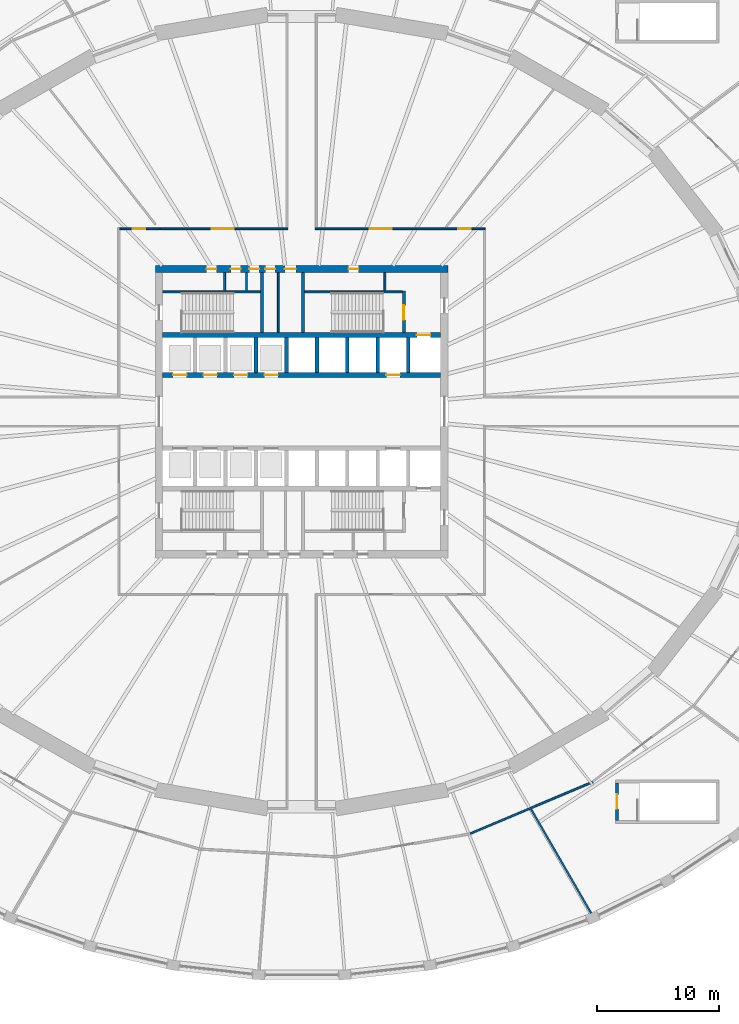
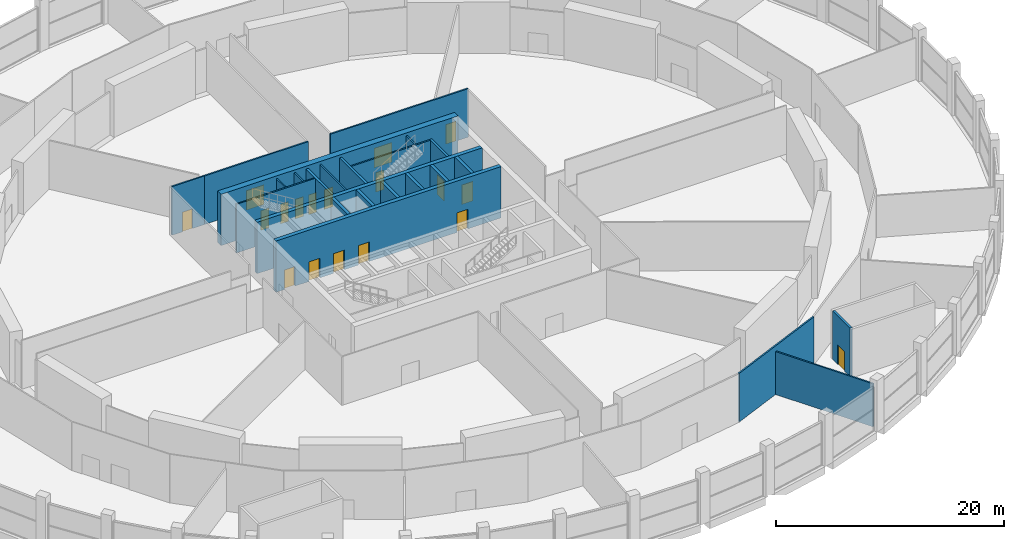
# One storey, part 21 of 26: 24 walls, 18 doors, 18 openings.
"""IFC4 building model written with IfcOpenShell, lengths in metres."""

from ifc_helpers import new_model, si_unit, direction, frame, frame_2d, origin, place, context, subcontext, project, spatial, polyline, rectangle, outline, extrude, material, layer, layer_set, type_object, element, fill, save


model = new_model("IFC4")

# Units and contexts
model_context = context("Model", 3, precision=1e-05, world=origin(), true_north=direction((0.0, 1.0)))
body_context = subcontext(model_context, "Body", "Model", "MODEL_VIEW")
ifc_project = project(units=[si_unit("LENGTHUNIT", "METRE"), si_unit("AREAUNIT", "SQUARE_METRE"), si_unit("VOLUMEUNIT", "CUBIC_METRE"), si_unit("PLANEANGLEUNIT", "RADIAN"), si_unit("MASSUNIT", "GRAM", prefix="KILO")], contexts=[model_context])

# Site, building, storey
site_placement = place(None, origin())
site = spatial("IfcSite", under=ifc_project, at=site_placement, CompositionType="ELEMENT")
building_placement = place(site_placement, origin())
building = spatial("IfcBuilding", under=site, at=building_placement, Name="Halqa Exchange Tower", CompositionType="ELEMENT")
storey_placement = place(building_placement, frame((0.0, 0.0, 18.0)))
storey = spatial("IfcBuildingStorey", under=building, at=storey_placement, Name="L03", CompositionType="ELEMENT", Elevation=18.0)

# Wall, opening, door
ifc_material_1 = material(Name="Fire-rated gypsum board")
ifc_layer_1 = layer(ifc_material_1, 0.14990234375)
ifc_layer_set_1 = layer_set([ifc_layer_1], Name="Fire-rated gypsum board")
wall_type_1 = type_object("IfcWallType", Name="Fire partition EI 60 150", PredefinedType="PARTITIONING", material=ifc_layer_set_1)
wall_1_placement = place(storey_placement, frame((-14.925048828125, 15.0, 0.0), z_axis=(0.0, 0.0, 1.0), x_axis=(1.0, 0.0, 0.0)))
wall_1 = element("IfcWall", 1, at=wall_1_placement, inside=storey, type_object=wall_type_1, Name="L03-PWL-031", PredefinedType="PARTITIONING", context=body_context, shape_type="SweptSolid", body=[
    extrude(rectangle(XDim=3.304443359375, YDim=0.14990234375, at=frame_2d((1.65234375, 0.0))), origin(), (0.0, 0.0, 1.0), 5.199951171875),
])
opening_1_placement = place(wall_1_placement, frame((1.074951171875, 0.0, 0.0)))
opening_1 = element("IfcOpeningElement", 2, at=opening_1_placement, cuts=wall_1, Name="Opening L03-06", PredefinedType="OPENING", context=body_context, shape_type="SweptSolid", body=[
    extrude(rectangle(XDim=1.0, YDim=2.10009765625, at=frame_2d((0.5, 1.050048828125))), frame((0.0, 0.0869140625, 0.0), z_axis=(0.0, -1.0, 0.0), x_axis=(1.0, 0.0, 0.0)), (0.0, 0.0, 1.0), 0.173828125),
])
ifc_material_2 = material(Name="Steel fire door leaf", Category="steel")
door_type_1 = type_object("IfcDoorType", Name="Fire door FD30S 1000 x 2100", OperationType="SINGLE_SWING_LEFT", PredefinedType="DOOR", material=ifc_material_2)
door_1_placement = place(opening_1_placement, origin())
door_1 = element("IfcDoor", 3, at=door_1_placement, inside=storey, type_object=door_type_1, Name="L03-IDR-006", OperationType="SINGLE_SWING_RIGHT", OverallHeight=2.10009765625, OverallWidth=1.0, PredefinedType="DOOR", context=body_context, shape_type="SweptSolid", body=[
    extrude(rectangle(XDim=1.0, YDim=2.10009765625, at=frame_2d((0.5, 1.050048828125))), frame((0.0, 0.02490234375, 0.0), z_axis=(0.0, -1.0, 0.0), x_axis=(1.0, 0.0, 0.0)), (0.0, 0.0, 1.0), 0.050048828125),
])
fill(opening_1, door_1)

wall_2_placement = place(storey_placement, frame((-11.62109375, 15.0, 0.0), z_axis=(0.0, 0.0, 1.0), x_axis=(1.0, 0.0, 0.0)))
wall_2 = element("IfcWall", 4, at=wall_2_placement, inside=storey, type_object=wall_type_1, Name="L03-PWL-034", PredefinedType="PARTITIONING", context=body_context, shape_type="SweptSolid", body=[
    extrude(rectangle(XDim=10.49609375, YDim=0.14990234375, at=frame_2d((5.248046875, 0.0))), origin(), (0.0, 0.0, 1.0), 5.199951171875),
])
opening_2_placement = place(wall_2_placement, frame((4.251953125, 0.0, 0.0)))
opening_2 = element("IfcOpeningElement", 5, at=opening_2_placement, cuts=wall_2, Name="Opening L03-05", PredefinedType="OPENING", context=body_context, shape_type="SweptSolid", body=[
    extrude(rectangle(XDim=1.800048828125, YDim=2.10009765625, at=frame_2d((0.89990234375, 1.050048828125))), frame((0.0, 0.0869140625, 0.0), z_axis=(0.0, -1.0, 0.0), x_axis=(1.0, 0.0, 0.0)), (0.0, 0.0, 1.0), 0.173828125),
])
door_type_2 = type_object("IfcDoorType", Name="Fire door FD30S double 1800 x 2100", OperationType="DOUBLE_DOOR_SINGLE_SWING", PredefinedType="DOOR", material=ifc_material_2)
door_2_placement = place(opening_2_placement, origin())
door_2 = element("IfcDoor", 6, at=door_2_placement, inside=storey, type_object=door_type_2, Name="L03-IDR-005", OperationType="DOUBLE_DOOR_SINGLE_SWING", OverallHeight=2.10009765625, OverallWidth=1.800048828125, PredefinedType="DOOR", context=body_context, shape_type="SweptSolid", body=[
    extrude(rectangle(XDim=1.800048828125, YDim=2.10009765625, at=frame_2d((0.89990234375, 1.050048828125))), frame((0.0, 0.02490234375, 0.0), z_axis=(0.0, -1.0, 0.0), x_axis=(1.0, 0.0, 0.0)), (0.0, 0.0, 1.0), 0.050048828125),
])
fill(opening_2, door_2)

# Wall, openings, doors
wall_3_placement = place(storey_placement, frame((1.125, 15.0, 0.0), z_axis=(0.0, 0.0, 1.0), x_axis=(1.0, 0.0, 0.0)))
wall_3 = element("IfcWall", 7, at=wall_3_placement, inside=storey, type_object=wall_type_1, Name="L03-PWL-048", PredefinedType="PARTITIONING", context=body_context, shape_type="SweptSolid", body=[
    extrude(rectangle(XDim=13.949951171875, YDim=0.14990234375, at=frame_2d((6.97509765625, 0.0))), origin(), (0.0, 0.0, 1.0), 5.199951171875),
])
opening_3_placement = place(wall_3_placement, frame((11.72509765625, 0.0, 0.0)))
opening_3 = element("IfcOpeningElement", 8, at=opening_3_placement, cuts=wall_3, Name="Opening L03-01", PredefinedType="OPENING", context=body_context, shape_type="SweptSolid", body=[
    extrude(rectangle(XDim=1.0, YDim=2.10009765625, at=frame_2d((0.5, 1.050048828125))), frame((0.0, 0.0869140625, 0.0), z_axis=(0.0, -1.0, 0.0), x_axis=(1.0, 0.0, 0.0)), (0.0, 0.0, 1.0), 0.173828125),
])
opening_4_placement = place(wall_3_placement, frame((4.444091796875, 0.0, 0.0)))
opening_4 = element("IfcOpeningElement", 9, at=opening_4_placement, cuts=wall_3, Name="Opening L03-04", PredefinedType="OPENING", context=body_context, shape_type="SweptSolid", body=[
    extrude(rectangle(XDim=1.800048828125, YDim=2.10009765625, at=frame_2d((0.89990234375, 1.050048828125))), frame((0.0, 0.0869140625, 0.0), z_axis=(0.0, -1.0, 0.0), x_axis=(1.0, 0.0, 0.0)), (0.0, 0.0, 1.0), 0.173828125),
])
door_3_placement = place(opening_3_placement, origin())
door_3 = element("IfcDoor", 10, at=door_3_placement, inside=storey, type_object=door_type_1, Name="L03-IDR-001", OperationType="SINGLE_SWING_RIGHT", OverallHeight=2.10009765625, OverallWidth=1.0, PredefinedType="DOOR", context=body_context, shape_type="SweptSolid", body=[
    extrude(rectangle(XDim=1.0, YDim=2.10009765625, at=frame_2d((0.5, 1.050048828125))), frame((0.0, 0.02490234375, 0.0), z_axis=(0.0, -1.0, 0.0), x_axis=(1.0, 0.0, 0.0)), (0.0, 0.0, 1.0), 0.050048828125),
])
fill(opening_3, door_3)
door_4_placement = place(opening_4_placement, origin())
door_4 = element("IfcDoor", 11, at=door_4_placement, inside=storey, type_object=door_type_2, Name="L03-IDR-004", OperationType="DOUBLE_DOOR_SINGLE_SWING", OverallHeight=2.10009765625, OverallWidth=1.800048828125, PredefinedType="DOOR", context=body_context, shape_type="SweptSolid", body=[
    extrude(rectangle(XDim=1.800048828125, YDim=2.10009765625, at=frame_2d((0.89990234375, 1.050048828125))), frame((0.0, 0.02490234375, 0.0), z_axis=(0.0, -1.0, 0.0), x_axis=(1.0, 0.0, 0.0)), (0.0, 0.0, 1.0), 0.050048828125),
])
fill(opening_4, door_4)

# Walls
wall_4_placement = place(storey_placement, frame((13.8525390625, -34.61083984375, 0.0), z_axis=(0.0, 0.0, 1.0), x_axis=(0.9212761968, 0.388908947197, 0.0)))
element("IfcWall", 12, at=wall_4_placement, inside=storey, type_object=wall_type_1, Name="L03-PWL-056", PredefinedType="PARTITIONING", context=body_context, shape_type="SweptSolid", body=[
    extrude(rectangle(XDim=10.874755859375, YDim=0.14990234375, at=frame_2d((5.4375, 0.0))), origin(), (0.0, 0.0, 1.0), 5.199951171875),
])
wall_5_placement = place(storey_placement, frame((23.7451171875, -41.150390625, 0.0), z_axis=(0.0, 0.0, 1.0), x_axis=(-0.499854452602, 0.866109419308, 0.0)))
element("IfcWall", 13, at=wall_5_placement, inside=storey, type_object=wall_type_1, Name="L03-PWL-065", PredefinedType="PARTITIONING", context=body_context, shape_type="SweptSolid", body=[
    extrude(outline(polyline([(-0.00927734375, -0.074951171875), (9.8642578125, -0.074951171875), (9.8828125, 0.074951171875), (0.00927734375, 0.074951171875), (-0.00927734375, -0.074951171875)])), origin(), (0.0, 0.0, 1.0), 4.60009765625),
])
ifc_material_3 = material(Name="Gypsum board")
ifc_layer_2 = layer(ifc_material_3, 0.14990234375)
ifc_layer_set_2 = layer_set([ifc_layer_2], Name="Gypsum board")
wall_type_2 = type_object("IfcWallType", Name="Penthouse riser wall 150 gypsum", PredefinedType="PARTITIONING", material=ifc_layer_set_2)
wall_6_placement = place(storey_placement, frame((-1.925048828125, 6.5, 0.0), z_axis=(0.0, 0.0, 1.0), x_axis=(0.0, 1.0, 0.0)))
element("IfcWall", 14, at=wall_6_placement, inside=storey, type_object=wall_type_2, Name="Partition W1.925 N", PredefinedType="PARTITIONING", context=body_context, shape_type="SweptSolid", body=[
    extrude(rectangle(XDim=4.89990234375, YDim=0.14990234375, at=frame_2d((2.449951171875, 0.0))), origin(), (0.0, 0.0, 1.0), 5.199951171875),
])
for number, where, z_axis, x_axis, name in (
    (15, (-6.324951171875, 9.89990234375, 0.0), (0.0, 0.0, 1.0), (0.0, 1.0, 0.0), "Partition W6.325 N"),
    (16, (-4.52490234375, 9.89990234375, 0.0), (0.0, 0.0, 1.0), (0.0, 1.0, 0.0), "Partition W4.525 N"),
    (17, (6.824951171875, 9.89990234375, 0.0), (0.0, 0.0, 1.0), (0.0, 1.0, 0.0), "Firefighting lobby west wall N"),
):
    element("IfcWall", number, at=place(storey_placement, frame(where, z_axis=z_axis, x_axis=x_axis)), inside=storey, type_object=wall_type_2, Name=name, PredefinedType="PARTITIONING", context=body_context, shape_type="SweptSolid", body=[
        extrude(rectangle(XDim=1.5, YDim=0.14990234375, at=frame_2d((0.75, 0.0))), origin(), (0.0, 0.0, 1.0), 5.199951171875),
    ])
ifc_material_4 = material(Name="Concrete C60/75", Category="concrete")
ifc_layer_3 = layer(ifc_material_4, 0.300048828125)
ifc_layer_set_3 = layer_set([ifc_layer_3], Name="Concrete C60/75")
wall_type_3 = type_object("IfcWallType", Name="RC core wall 300", PredefinedType="SHEAR", material=ifc_layer_set_3)
for number, where, z_axis, x_axis, name in (
    (18, (-3.75, 3.199951171875, 0.0), (0.0, 0.0, 1.0), (0.0, 1.0, 0.0), "Shaft divider N3"),
    (19, (-1.25, 3.199951171875, 0.0), (0.0, 0.0, 1.0), (0.0, 1.0, 0.0), "Shaft divider N4"),
    (20, (1.25, 3.199951171875, 0.0), (0.0, 0.0, 1.0), (0.0, 1.0, 0.0), "Shaft divider N5"),
    (21, (3.75, 3.199951171875, 0.0), (0.0, 0.0, 1.0), (0.0, 1.0, 0.0), "Shaft divider N6"),
    (22, (6.25, 3.199951171875, 0.0), (0.0, 0.0, 1.0), (0.0, 1.0, 0.0), "Shaft divider N7"),
    (23, (8.75, 3.199951171875, 0.0), (0.0, 0.0, 1.0), (0.0, 1.0, 0.0), "Shaft divider N8"),
):
    element("IfcWall", number, at=place(storey_placement, frame(where, z_axis=z_axis, x_axis=x_axis)), inside=storey, type_object=wall_type_3, Name=name, PredefinedType="SHEAR", context=body_context, shape_type="SweptSolid", body=[
        extrude(rectangle(XDim=2.900146484375, YDim=0.300048828125, at=frame_2d((1.4501953125, 0.0))), origin(), (0.0, 0.0, 1.0), 5.5),
    ])

# Wall, openings, doors
ifc_material_5 = material(Name="Concrete C80/95", Category="concrete")
ifc_layer_4 = layer(ifc_material_5, 0.39990234375)
ifc_layer_set_4 = layer_set([ifc_layer_4], Name="Concrete C80/95")
wall_type_4 = type_object("IfcWallType", Name="RC core wall 400 C80/95", PredefinedType="SHEAR", material=ifc_layer_set_4)
wall_7_placement = place(storey_placement, frame((-11.39990234375, 3.0, 0.0), z_axis=(0.0, 0.0, 1.0), x_axis=(1.0, 0.0, 0.0)))
wall_7 = element("IfcWall", 24, at=wall_7_placement, inside=storey, type_object=wall_type_4, Name="Lift row front wall N", PredefinedType="SHEAR", context=body_context, shape_type="SweptSolid", body=[
    extrude(rectangle(XDim=22.7998046875, YDim=0.39990234375, at=frame_2d((11.39990234375, 0.0))), origin(), (0.0, 0.0, 1.0), 5.5),
])
opening_5_placement = place(wall_7_placement, frame((0.85009765625, 0.0, 0.0)))
opening_5 = element("IfcOpeningElement", 25, at=opening_5_placement, cuts=wall_7, Name="Opening LD-LR1-L03", PredefinedType="OPENING", context=body_context, shape_type="SweptSolid", body=[
    extrude(rectangle(XDim=1.10009765625, YDim=2.10009765625, at=frame_2d((0.550048828125, 1.050048828125))), frame((0.0, 0.2119140625, 0.0), z_axis=(0.0, -1.0, 0.0), x_axis=(1.0, 0.0, 0.0)), (0.0, 0.0, 1.0), 0.423828125),
])
opening_6_placement = place(wall_7_placement, frame((3.35009765625, 0.0, 0.0)))
opening_6 = element("IfcOpeningElement", 26, at=opening_6_placement, cuts=wall_7, Name="Opening LD-LR2-L03", PredefinedType="OPENING", context=body_context, shape_type="SweptSolid", body=[
    extrude(rectangle(XDim=1.10009765625, YDim=2.10009765625, at=frame_2d((0.550048828125, 1.050048828125))), frame((0.0, 0.2119140625, 0.0), z_axis=(0.0, -1.0, 0.0), x_axis=(1.0, 0.0, 0.0)), (0.0, 0.0, 1.0), 0.423828125),
])
opening_7_placement = place(wall_7_placement, frame((5.85009765625, 0.0, 0.0)))
opening_7 = element("IfcOpeningElement", 27, at=opening_7_placement, cuts=wall_7, Name="Opening LD-LR3-L03", PredefinedType="OPENING", context=body_context, shape_type="SweptSolid", body=[
    extrude(rectangle(XDim=1.10009765625, YDim=2.10009765625, at=frame_2d((0.550048828125, 1.050048828125))), frame((0.0, 0.2119140625, 0.0), z_axis=(0.0, -1.0, 0.0), x_axis=(1.0, 0.0, 0.0)), (0.0, 0.0, 1.0), 0.423828125),
])
opening_8_placement = place(wall_7_placement, frame((8.35009765625, 0.0, 0.0)))
opening_8 = element("IfcOpeningElement", 28, at=opening_8_placement, cuts=wall_7, Name="Opening LD-LR4-L03", PredefinedType="OPENING", context=body_context, shape_type="SweptSolid", body=[
    extrude(rectangle(XDim=1.10009765625, YDim=2.10009765625, at=frame_2d((0.550048828125, 1.050048828125))), frame((0.0, 0.2119140625, 0.0), z_axis=(0.0, -1.0, 0.0), x_axis=(1.0, 0.0, 0.0)), (0.0, 0.0, 1.0), 0.423828125),
])
opening_9_placement = place(wall_7_placement, frame((18.35009765625, 0.0, 0.0)))
opening_9 = element("IfcOpeningElement", 29, at=opening_9_placement, cuts=wall_7, Name="Opening LD-SV1-L03", PredefinedType="OPENING", context=body_context, shape_type="SweptSolid", body=[
    extrude(rectangle(XDim=1.10009765625, YDim=2.10009765625, at=frame_2d((0.550048828125, 1.050048828125))), frame((0.0, 0.2119140625, 0.0), z_axis=(0.0, -1.0, 0.0), x_axis=(1.0, 0.0, 0.0)), (0.0, 0.0, 1.0), 0.423828125),
])
ifc_material_6 = material(Name="Stainless steel", Category="steel")
door_type_3 = type_object("IfcDoorType", Name="Lift landing door 1100 x 2100", OperationType="SLIDING_TO_LEFT", PredefinedType="DOOR", material=ifc_material_6)
door_5_placement = place(opening_5_placement, origin())
door_5 = element("IfcDoor", 30, at=door_5_placement, inside=storey, type_object=door_type_3, Name="Lift landing door LR1", OperationType="SLIDING_TO_LEFT", OverallHeight=2.10009765625, OverallWidth=1.10009765625, PredefinedType="DOOR", context=body_context, shape_type="SweptSolid", body=[
    extrude(rectangle(XDim=1.10009765625, YDim=2.10009765625, at=frame_2d((0.550048828125, 1.050048828125))), frame((0.0, 0.02490234375, 0.0), z_axis=(0.0, -1.0, 0.0), x_axis=(1.0, 0.0, 0.0)), (0.0, 0.0, 1.0), 0.050048828125),
])
fill(opening_5, door_5)
door_6_placement = place(opening_6_placement, origin())
door_6 = element("IfcDoor", 31, at=door_6_placement, inside=storey, type_object=door_type_3, Name="Lift landing door LR2", OperationType="SLIDING_TO_LEFT", OverallHeight=2.10009765625, OverallWidth=1.10009765625, PredefinedType="DOOR", context=body_context, shape_type="SweptSolid", body=[
    extrude(rectangle(XDim=1.10009765625, YDim=2.10009765625, at=frame_2d((0.550048828125, 1.050048828125))), frame((0.0, 0.02490234375, 0.0), z_axis=(0.0, -1.0, 0.0), x_axis=(1.0, 0.0, 0.0)), (0.0, 0.0, 1.0), 0.050048828125),
])
fill(opening_6, door_6)
door_7_placement = place(opening_7_placement, origin())
door_7 = element("IfcDoor", 32, at=door_7_placement, inside=storey, type_object=door_type_3, Name="Lift landing door LR3", OperationType="SLIDING_TO_LEFT", OverallHeight=2.10009765625, OverallWidth=1.10009765625, PredefinedType="DOOR", context=body_context, shape_type="SweptSolid", body=[
    extrude(rectangle(XDim=1.10009765625, YDim=2.10009765625, at=frame_2d((0.550048828125, 1.050048828125))), frame((0.0, 0.02490234375, 0.0), z_axis=(0.0, -1.0, 0.0), x_axis=(1.0, 0.0, 0.0)), (0.0, 0.0, 1.0), 0.050048828125),
])
fill(opening_7, door_7)
door_8_placement = place(opening_8_placement, origin())
door_8 = element("IfcDoor", 33, at=door_8_placement, inside=storey, type_object=door_type_3, Name="Lift landing door LR4", OperationType="SLIDING_TO_LEFT", OverallHeight=2.10009765625, OverallWidth=1.10009765625, PredefinedType="DOOR", context=body_context, shape_type="SweptSolid", body=[
    extrude(rectangle(XDim=1.10009765625, YDim=2.10009765625, at=frame_2d((0.550048828125, 1.050048828125))), frame((0.0, 0.02490234375, 0.0), z_axis=(0.0, -1.0, 0.0), x_axis=(1.0, 0.0, 0.0)), (0.0, 0.0, 1.0), 0.050048828125),
])
fill(opening_8, door_8)
door_9_placement = place(opening_9_placement, origin())
door_9 = element("IfcDoor", 34, at=door_9_placement, inside=storey, type_object=door_type_3, Name="Lift landing door SV1", OperationType="SLIDING_TO_LEFT", OverallHeight=2.10009765625, OverallWidth=1.10009765625, PredefinedType="DOOR", context=body_context, shape_type="SweptSolid", body=[
    extrude(rectangle(XDim=1.10009765625, YDim=2.10009765625, at=frame_2d((0.550048828125, 1.050048828125))), frame((0.0, 0.02490234375, 0.0), z_axis=(0.0, -1.0, 0.0), x_axis=(1.0, 0.0, 0.0)), (0.0, 0.0, 1.0), 0.050048828125),
])
fill(opening_9, door_9)

# Wall, opening, door
wall_8_placement = place(storey_placement, frame((-11.39990234375, 6.300048828125, 0.0), z_axis=(0.0, 0.0, 1.0), x_axis=(1.0, 0.0, 0.0)))
wall_8 = element("IfcWall", 35, at=wall_8_placement, inside=storey, type_object=wall_type_4, Name="Lift row back wall N", PredefinedType="SHEAR", context=body_context, shape_type="SweptSolid", body=[
    extrude(rectangle(XDim=22.7998046875, YDim=0.39990234375, at=frame_2d((11.39990234375, 0.0))), origin(), (0.0, 0.0, 1.0), 5.5),
])
opening_10_placement = place(wall_8_placement, frame((20.85009765625, 0.0, 0.0)))
opening_10 = element("IfcOpeningElement", 36, at=opening_10_placement, cuts=wall_8, Name="Opening LD-FF1-L03", PredefinedType="OPENING", context=body_context, shape_type="SweptSolid", body=[
    extrude(rectangle(XDim=1.10009765625, YDim=2.10009765625, at=frame_2d((0.550048828125, 1.050048828125))), frame((0.0, 0.2119140625, 0.0), z_axis=(0.0, -1.0, 0.0), x_axis=(1.0, 0.0, 0.0)), (0.0, 0.0, 1.0), 0.423828125),
])
door_10_placement = place(opening_10_placement, origin())
door_10 = element("IfcDoor", 37, at=door_10_placement, inside=storey, type_object=door_type_3, Name="Lift landing door FF1", OperationType="SLIDING_TO_LEFT", OverallHeight=2.10009765625, OverallWidth=1.10009765625, PredefinedType="DOOR", context=body_context, shape_type="SweptSolid", body=[
    extrude(rectangle(XDim=1.10009765625, YDim=2.10009765625, at=frame_2d((0.550048828125, 1.050048828125))), frame((0.0, 0.02490234375, 0.0), z_axis=(0.0, -1.0, 0.0), x_axis=(1.0, 0.0, 0.0)), (0.0, 0.0, 1.0), 0.050048828125),
])
fill(opening_10, door_10)

# Wall, openings, doors
ifc_layer_5 = layer(ifc_material_5, 0.60009765625)
ifc_layer_set_5 = layer_set([ifc_layer_5], Name="Concrete C80/95")
wall_type_5 = type_object("IfcWallType", Name="RC core wall 600 C80/95", PredefinedType="SHEAR", material=ifc_layer_set_5)
wall_9_placement = place(storey_placement, frame((-12.0, 11.699951171875, 0.0), z_axis=(0.0, 0.0, 1.0), x_axis=(1.0, 0.0, 0.0)))
wall_9 = element("IfcWall", 38, at=wall_9_placement, inside=storey, type_object=wall_type_5, Name="Core wall north", PredefinedType="SHEAR", context=body_context, shape_type="SweptSolid", body=[
    extrude(rectangle(XDim=24.0, YDim=0.60009765625, at=frame_2d((12.0, 0.0))), origin(), (0.0, 0.0, 1.0), 5.5),
])
opening_11_placement = place(wall_9_placement, frame((9.02490234375, 0.0, 0.0)))
opening_11 = element("IfcOpeningElement", 39, at=opening_11_placement, cuts=wall_9, Name="Opening L03-C25", PredefinedType="OPENING", context=body_context, shape_type="SweptSolid", body=[
    extrude(rectangle(XDim=0.800048828125, YDim=2.10009765625, at=frame_2d((0.39990234375, 1.050048828125))), frame((0.0, 0.31201171875, 0.0), z_axis=(0.0, -1.0, 0.0), x_axis=(1.0, 0.0, 0.0)), (0.0, 0.0, 1.0), 0.6240234375),
])
opening_12_placement = place(wall_9_placement, frame((10.625, 0.0, 0.0)))
opening_12 = element("IfcOpeningElement", 40, at=opening_12_placement, cuts=wall_9, Name="Opening L03-C26", PredefinedType="OPENING", context=body_context, shape_type="SweptSolid", body=[
    extrude(rectangle(XDim=0.89990234375, YDim=2.10009765625, at=frame_2d((0.449951171875, 1.050048828125))), frame((0.0, 0.31201171875, 0.0), z_axis=(0.0, -1.0, 0.0), x_axis=(1.0, 0.0, 0.0)), (0.0, 0.0, 1.0), 0.6240234375),
])
opening_13_placement = place(wall_9_placement, frame((4.199951171875, 0.0, 0.0)))
opening_13 = element("IfcOpeningElement", 41, at=opening_13_placement, cuts=wall_9, Name="Opening L03-C27", PredefinedType="OPENING", context=body_context, shape_type="SweptSolid", body=[
    extrude(rectangle(XDim=0.800048828125, YDim=2.10009765625, at=frame_2d((0.39990234375, 1.050048828125))), frame((0.0, 0.31201171875, 0.0), z_axis=(0.0, -1.0, 0.0), x_axis=(1.0, 0.0, 0.0)), (0.0, 0.0, 1.0), 0.6240234375),
])
opening_14_placement = place(wall_9_placement, frame((6.199951171875, 0.0, 0.0)))
opening_14 = element("IfcOpeningElement", 42, at=opening_14_placement, cuts=wall_9, Name="Opening L03-C28", PredefinedType="OPENING", context=body_context, shape_type="SweptSolid", body=[
    extrude(rectangle(XDim=0.800048828125, YDim=2.10009765625, at=frame_2d((0.39990234375, 1.050048828125))), frame((0.0, 0.31201171875, 0.0), z_axis=(0.0, -1.0, 0.0), x_axis=(1.0, 0.0, 0.0)), (0.0, 0.0, 1.0), 0.6240234375),
])
opening_15_placement = place(wall_9_placement, frame((7.699951171875, 0.0, 0.0)))
opening_15 = element("IfcOpeningElement", 43, at=opening_15_placement, cuts=wall_9, Name="Opening L03-C29", PredefinedType="OPENING", context=body_context, shape_type="SweptSolid", body=[
    extrude(rectangle(XDim=0.800048828125, YDim=2.10009765625, at=frame_2d((0.39990234375, 1.050048828125))), frame((0.0, 0.31201171875, 0.0), z_axis=(0.0, -1.0, 0.0), x_axis=(1.0, 0.0, 0.0)), (0.0, 0.0, 1.0), 0.6240234375),
])
opening_16_placement = place(wall_9_placement, frame((15.85009765625, 0.0, 0.0)))
opening_16 = element("IfcOpeningElement", 44, at=opening_16_placement, cuts=wall_9, Name="Opening L03-C30", PredefinedType="OPENING", context=body_context, shape_type="SweptSolid", body=[
    extrude(rectangle(XDim=0.800048828125, YDim=2.10009765625, at=frame_2d((0.39990234375, 1.050048828125))), frame((0.0, 0.31201171875, 0.0), z_axis=(0.0, -1.0, 0.0), x_axis=(1.0, 0.0, 0.0)), (0.0, 0.0, 1.0), 0.6240234375),
])
ifc_material_7 = material(Name="Timber fire door leaf", Category="wood")
door_type_4 = type_object("IfcDoorType", Name="Core room door FD30 900 x 2100", OperationType="SINGLE_SWING_LEFT", PredefinedType="DOOR", material=ifc_material_7)
door_11_placement = place(opening_12_placement, frame((0.89990234375, 0.0, 0.0), z_axis=(0.0, 0.0, 1.0), x_axis=(-1.0, 0.0, 0.0)))
door_11 = element("IfcDoor", 45, at=door_11_placement, inside=storey, type_object=door_type_4, Name="Core room door", OperationType="SINGLE_SWING_LEFT", OverallHeight=2.10009765625, OverallWidth=0.89990234375, PredefinedType="DOOR", context=body_context, shape_type="SweptSolid", body=[
    extrude(rectangle(XDim=0.89990234375, YDim=2.10009765625, at=frame_2d((0.449951171875, 1.050048828125))), frame((0.0, 0.02490234375, 0.0), z_axis=(0.0, -1.0, 0.0), x_axis=(1.0, 0.0, 0.0)), (0.0, 0.0, 1.0), 0.050048828125),
])
fill(opening_12, door_11)
door_type_5 = type_object("IfcDoorType", Name="Riser door FD60 800 x 2100", OperationType="SINGLE_SWING_LEFT", PredefinedType="DOOR", material=ifc_material_2)
door_12_placement = place(opening_11_placement, frame((0.800048828125, 0.0, 0.0), z_axis=(0.0, 0.0, 1.0), x_axis=(-1.0, 0.0, 0.0)))
door_12 = element("IfcDoor", 46, at=door_12_placement, inside=storey, type_object=door_type_5, Name="Core room door", OperationType="SINGLE_SWING_LEFT", OverallHeight=2.10009765625, OverallWidth=0.800048828125, PredefinedType="DOOR", context=body_context, shape_type="SweptSolid", body=[
    extrude(rectangle(XDim=0.800048828125, YDim=2.10009765625, at=frame_2d((0.39990234375, 1.050048828125))), frame((0.0, 0.02490234375, 0.0), z_axis=(0.0, -1.0, 0.0), x_axis=(1.0, 0.0, 0.0)), (0.0, 0.0, 1.0), 0.050048828125),
])
fill(opening_11, door_12)
door_13_placement = place(opening_13_placement, frame((0.800048828125, 0.0, 0.0), z_axis=(0.0, 0.0, 1.0), x_axis=(-1.0, 0.0, 0.0)))
door_13 = element("IfcDoor", 47, at=door_13_placement, inside=storey, type_object=door_type_5, Name="Core room door", OperationType="SINGLE_SWING_RIGHT", OverallHeight=2.10009765625, OverallWidth=0.800048828125, PredefinedType="DOOR", context=body_context, shape_type="SweptSolid", body=[
    extrude(rectangle(XDim=0.800048828125, YDim=2.10009765625, at=frame_2d((0.39990234375, 1.050048828125))), frame((0.0, 0.02490234375, 0.0), z_axis=(0.0, -1.0, 0.0), x_axis=(1.0, 0.0, 0.0)), (0.0, 0.0, 1.0), 0.050048828125),
])
fill(opening_13, door_13)
door_14_placement = place(opening_14_placement, frame((0.800048828125, 0.0, 0.0), z_axis=(0.0, 0.0, 1.0), x_axis=(-1.0, 0.0, 0.0)))
door_14 = element("IfcDoor", 48, at=door_14_placement, inside=storey, type_object=door_type_5, Name="Core room door", OperationType="SINGLE_SWING_RIGHT", OverallHeight=2.10009765625, OverallWidth=0.800048828125, PredefinedType="DOOR", context=body_context, shape_type="SweptSolid", body=[
    extrude(rectangle(XDim=0.800048828125, YDim=2.10009765625, at=frame_2d((0.39990234375, 1.050048828125))), frame((0.0, 0.02490234375, 0.0), z_axis=(0.0, -1.0, 0.0), x_axis=(1.0, 0.0, 0.0)), (0.0, 0.0, 1.0), 0.050048828125),
])
fill(opening_14, door_14)
door_15_placement = place(opening_15_placement, frame((0.800048828125, 0.0, 0.0), z_axis=(0.0, 0.0, 1.0), x_axis=(-1.0, 0.0, 0.0)))
door_15 = element("IfcDoor", 49, at=door_15_placement, inside=storey, type_object=door_type_5, Name="Core room door", OperationType="SINGLE_SWING_RIGHT", OverallHeight=2.10009765625, OverallWidth=0.800048828125, PredefinedType="DOOR", context=body_context, shape_type="SweptSolid", body=[
    extrude(rectangle(XDim=0.800048828125, YDim=2.10009765625, at=frame_2d((0.39990234375, 1.050048828125))), frame((0.0, 0.02490234375, 0.0), z_axis=(0.0, -1.0, 0.0), x_axis=(1.0, 0.0, 0.0)), (0.0, 0.0, 1.0), 0.050048828125),
])
fill(opening_15, door_15)
door_16_placement = place(opening_16_placement, frame((0.800048828125, 0.0, 0.0), z_axis=(0.0, 0.0, 1.0), x_axis=(-1.0, 0.0, 0.0)))
door_16 = element("IfcDoor", 50, at=door_16_placement, inside=storey, type_object=door_type_5, Name="Core room door", OperationType="SINGLE_SWING_RIGHT", OverallHeight=2.10009765625, OverallWidth=0.800048828125, PredefinedType="DOOR", context=body_context, shape_type="SweptSolid", body=[
    extrude(rectangle(XDim=0.800048828125, YDim=2.10009765625, at=frame_2d((0.39990234375, 1.050048828125))), frame((0.0, 0.02490234375, 0.0), z_axis=(0.0, -1.0, 0.0), x_axis=(1.0, 0.0, 0.0)), (0.0, 0.0, 1.0), 0.050048828125),
])
fill(opening_16, door_16)

# Walls
ifc_material_8 = material(Name="Concrete C30/37", Category="concrete")
ifc_layer_6 = layer(ifc_material_8, 0.14990234375)
ifc_layer_set_6 = layer_set([ifc_layer_6], Name="Concrete C30/37")
wall_type_6 = type_object("IfcWallType", Name="RC stair wall 150 C30/37", PredefinedType="SHEAR", material=ifc_layer_set_6)
for number, where, z_axis, x_axis, name in (
    (51, (-11.39990234375, 9.824951171875, 0.0), (0.0, 0.0, 1.0), (1.0, 0.0, 0.0), "Stair ST1 north wall N"),
    (52, (0.25, 9.824951171875, 0.0), (0.0, 0.0, 1.0), (1.0, 0.0, 0.0), "Stair ST2 north wall N"),
):
    element("IfcWall", number, at=place(storey_placement, frame(where, z_axis=z_axis, x_axis=x_axis)), inside=storey, type_object=wall_type_6, Name=name, PredefinedType="SHEAR", context=body_context, shape_type="SweptSolid", body=[
        extrude(rectangle(XDim=8.0, YDim=0.14990234375, at=frame_2d((4.0, 0.0))), origin(), (0.0, 0.0, 1.0), 5.199951171875),
    ])
ifc_layer_7 = layer(ifc_material_8, 0.25)
ifc_layer_set_7 = layer_set([ifc_layer_7], Name="Concrete C30/37")
wall_type_7 = type_object("IfcWallType", Name="RC stair wall 250 C30/37", PredefinedType="SHEAR", material=ifc_layer_set_7)
for number, where, z_axis, x_axis, name in (
    (53, (-3.27490234375, 6.5, 0.0), (0.0, 0.0, 1.0), (0.0, 1.0, 0.0), "Stair ST1 east wall N"),
    (54, (0.125, 6.5, 0.0), (0.0, 0.0, 1.0), (0.0, 1.0, 0.0), "Stair ST2 west wall N"),
):
    element("IfcWall", number, at=place(storey_placement, frame(where, z_axis=z_axis, x_axis=x_axis)), inside=storey, type_object=wall_type_7, Name=name, PredefinedType="SHEAR", context=body_context, shape_type="SweptSolid", body=[
        extrude(rectangle(XDim=4.89990234375, YDim=0.25, at=frame_2d((2.449951171875, 0.0))), origin(), (0.0, 0.0, 1.0), 5.199951171875),
    ])

# Wall, opening, door
wall_10_placement = place(storey_placement, frame((8.375, 6.5, 0.0), z_axis=(0.0, 0.0, 1.0), x_axis=(0.0, 1.0, 0.0)))
wall_10 = element("IfcWall", 55, at=wall_10_placement, inside=storey, type_object=wall_type_7, Name="Stair ST2 east wall N", PredefinedType="SHEAR", context=body_context, shape_type="SweptSolid", body=[
    extrude(rectangle(XDim=3.39990234375, YDim=0.25, at=frame_2d((1.699951171875, 0.0))), origin(), (0.0, 0.0, 1.0), 5.199951171875),
])
opening_17_placement = place(wall_10_placement, frame((1.02490234375, 0.0, 0.0)))
opening_17 = element("IfcOpeningElement", 56, at=opening_17_placement, cuts=wall_10, Name="Opening L03-C20", PredefinedType="OPENING", context=body_context, shape_type="SweptSolid", body=[
    extrude(rectangle(XDim=1.199951171875, YDim=2.10009765625, at=frame_2d((0.60009765625, 1.050048828125))), frame((0.0, 0.136962890625, 0.0), z_axis=(0.0, -1.0, 0.0), x_axis=(1.0, 0.0, 0.0)), (0.0, 0.0, 1.0), 0.27392578125),
])
door_type_6 = type_object("IfcDoorType", Name="Stair door FD90 1200 x 2100", OperationType="SINGLE_SWING_LEFT", PredefinedType="DOOR", material=ifc_material_2)
door_17_placement = place(opening_17_placement, origin())
door_17 = element("IfcDoor", 57, at=door_17_placement, inside=storey, type_object=door_type_6, Name="Stair door ST2", OperationType="SINGLE_SWING_LEFT", OverallHeight=2.10009765625, OverallWidth=1.199951171875, PredefinedType="DOOR", context=body_context, shape_type="SweptSolid", body=[
    extrude(rectangle(XDim=1.199951171875, YDim=2.10009765625, at=frame_2d((0.60009765625, 1.050048828125))), frame((0.0, 0.02490234375, 0.0), z_axis=(0.0, -1.0, 0.0), x_axis=(1.0, 0.0, 0.0)), (0.0, 0.0, 1.0), 0.050048828125),
])
fill(opening_17, door_17)

wall_11_placement = place(storey_placement, frame((25.875, -33.52490234375, 0.0), z_axis=(0.0, 0.0, 1.0), x_axis=(0.0, 1.0, 0.0)))
wall_11 = element("IfcWall", 58, at=wall_11_placement, inside=storey, type_object=wall_type_7, Name="Stair PS2 wall west", PredefinedType="SHEAR", context=body_context, shape_type="SweptSolid", body=[
    extrude(rectangle(XDim=3.0498046875, YDim=0.25, at=frame_2d((1.52490234375, 0.0))), origin(), (0.0, 0.0, 1.0), 5.199951171875),
])
opening_18_placement = place(wall_11_placement, frame((0.925048828125, 0.0, 0.0)))
opening_18 = element("IfcOpeningElement", 59, at=opening_18_placement, cuts=wall_11, Name="Opening L03-C16", PredefinedType="OPENING", context=body_context, shape_type="SweptSolid", body=[
    extrude(rectangle(XDim=1.199951171875, YDim=2.10009765625, at=frame_2d((0.60009765625, 1.050048828125))), frame((0.0, 0.136962890625, 0.0), z_axis=(0.0, -1.0, 0.0), x_axis=(1.0, 0.0, 0.0)), (0.0, 0.0, 1.0), 0.27392578125),
])
door_18_placement = place(opening_18_placement, origin())
door_18 = element("IfcDoor", 60, at=door_18_placement, inside=storey, type_object=door_type_6, Name="Stair door PS2", OperationType="SINGLE_SWING_LEFT", OverallHeight=2.10009765625, OverallWidth=1.199951171875, PredefinedType="DOOR", context=body_context, shape_type="SweptSolid", body=[
    extrude(rectangle(XDim=1.199951171875, YDim=2.10009765625, at=frame_2d((0.60009765625, 1.050048828125))), frame((0.0, 0.02490234375, 0.0), z_axis=(0.0, -1.0, 0.0), x_axis=(1.0, 0.0, 0.0)), (0.0, 0.0, 1.0), 0.050048828125),
])
fill(opening_18, door_18)

save(model, "model.ifc")
